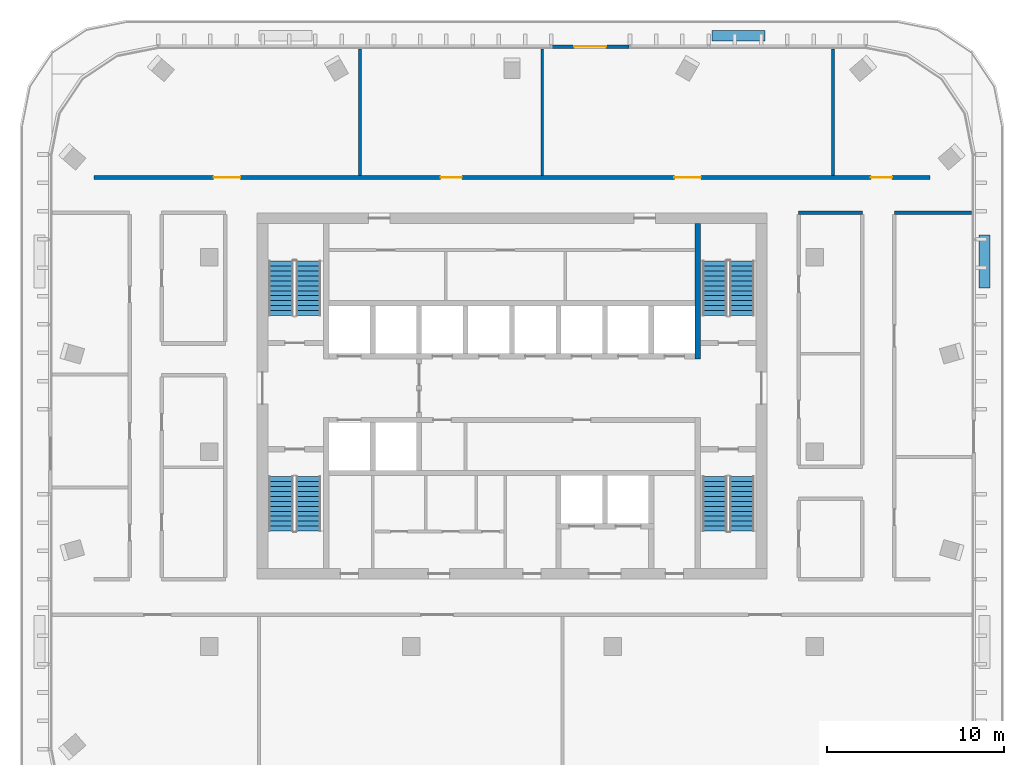
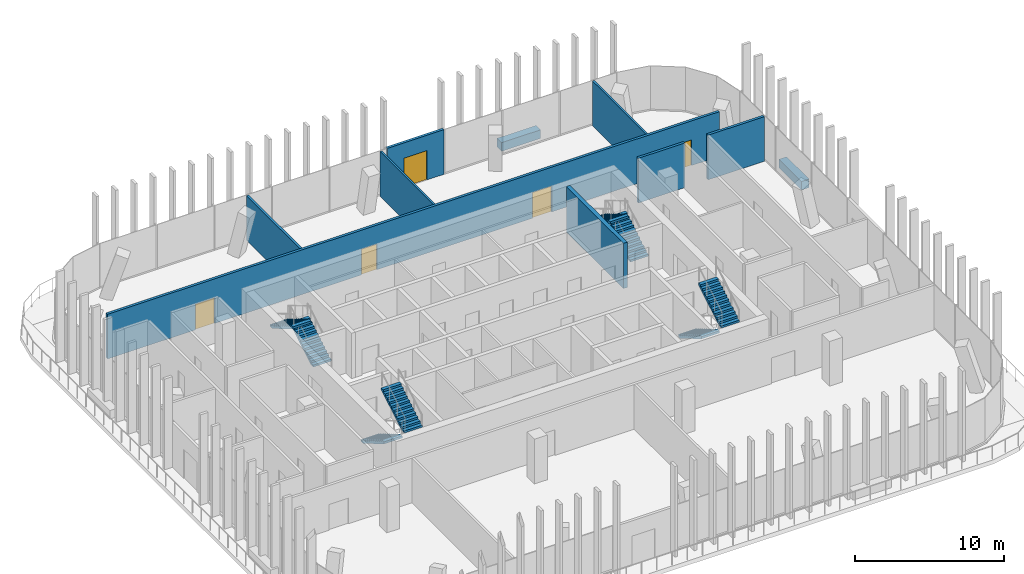
# One storey, part 10 of 15: 10 walls, 8 stair flights, 5 doors, 5 openings, 4 elements without a shape of their own.
"""IFC4 building model written with IfcOpenShell, lengths in metres."""

from ifc_helpers import new_model, si_unit, direction, frame, frame_2d, origin, place, context, subcontext, project, spatial, polyline, rectangle, outline, extrude, material, layer, layer_set, type_object, element, fill, aggregate, save


model = new_model("IFC4")

# Units and contexts
model_context = context("Model", 3, precision=1e-05, world=origin(), true_north=direction((0.0, 1.0)))
body_context = subcontext(model_context, "Body", "Model", "MODEL_VIEW")
ifc_project = project(units=[si_unit("LENGTHUNIT", "METRE"), si_unit("AREAUNIT", "SQUARE_METRE"), si_unit("VOLUMEUNIT", "CUBIC_METRE"), si_unit("PLANEANGLEUNIT", "RADIAN"), si_unit("MASSUNIT", "GRAM", prefix="KILO")], contexts=[model_context])

# Site, building, storey
site_placement = place(None, origin())
site = spatial("IfcSite", under=ifc_project, at=site_placement, CompositionType="ELEMENT")
building_placement = place(site_placement, origin())
building = spatial("IfcBuilding", under=site, at=building_placement, Name="Mopane Tessera Tower", CompositionType="ELEMENT")
storey_placement = place(building_placement, frame((0.0, 0.0, 329.39990234375)))
storey = spatial("IfcBuildingStorey", under=building, at=storey_placement, Name="L72", CompositionType="ELEMENT", Elevation=329.39990234375)

# Walls
ifc_material_1 = material(Name="Concrete C60/75", Category="concrete")
ifc_layer_1 = layer(ifc_material_1, 0.300048828125)
ifc_layer_set_1 = layer_set([ifc_layer_1], Name="Concrete C60/75")
wall_type_1 = type_object("IfcWallType", Name="Core spine wall 300 mm", PredefinedType="SHEAR", material=ifc_layer_set_1)
wall_1_placement = place(storey_placement, frame((10.5, 5.25, 0.0), z_axis=(0.0, 0.0, 1.0), x_axis=(0.0, 1.0, 0.0)))
element("IfcWall", 1, at=wall_1_placement, inside=storey, type_object=wall_type_1, Name="L72 Core spine wall", PredefinedType="SHEAR", context=body_context, shape_type="SweptSolid", body=[
    extrude(rectangle(XDim=7.64990234375, YDim=0.300048828125, at=frame_2d((3.824951171875, 0.0))), origin(), (0.0, 0.0, 1.0), 3.7001953125),
])
ifc_material_2 = material(Name="Gypsum board on staggered steel studs, double layer each face, acoustic mineral wool infill", Category="steel")
ifc_layer_2 = layer(ifc_material_2, 0.175048828125)
ifc_layer_set_2 = layer_set([ifc_layer_2], Name="Gypsum board on staggered steel studs, double layer each face, acoustic mineral wool infill")
wall_type_2 = type_object("IfcWallType", Name="Gypsum board acoustic partition 175, rated EI 60", PredefinedType="PARTITIONING", material=ifc_layer_set_2)
wall_2_placement = place(storey_placement, frame((-8.5849609375, 15.60009765625, 0.0), z_axis=(0.0, 0.0, 1.0), x_axis=(0.0, 1.0, 0.0)))
element("IfcWall", 2, at=wall_2_placement, inside=storey, type_object=wall_type_2, Name="Partition L72:025", PredefinedType="PARTITIONING", context=body_context, shape_type="SweptSolid", body=[
    extrude(rectangle(XDim=7.14990234375, YDim=0.175048828125, at=frame_2d((3.574951171875, 0.0))), origin(), (0.0, 0.0, 1.0), 3.650146484375),
])
ifc_material_3 = material(Name="Gypsum board on steel studs, two layers each face, mineral wool infill", Category="steel")
ifc_layer_3 = layer(ifc_material_3, 0.199951171875)
ifc_layer_set_3 = layer_set([ifc_layer_3], Name="Gypsum board on steel studs, two layers each face, mineral wool infill")
wall_type_3 = type_object("IfcWallType", Name="Gypsum board corridor wall 200, rated EI 60", PredefinedType="PARTITIONING", material=ifc_layer_set_3)
wall_3_placement = place(storey_placement, frame((16.199951171875, 13.5, 0.0), z_axis=(0.0, 0.0, 1.0), x_axis=(1.0, 0.0, 0.0)))
element("IfcWall", 3, at=wall_3_placement, inside=storey, type_object=wall_type_3, Name="Partition L72:016", PredefinedType="PARTITIONING", context=body_context, shape_type="SweptSolid", body=[
    extrude(rectangle(XDim=3.60009765625, YDim=0.199951171875, at=frame_2d((1.800048828125, 0.0))), origin(), (0.0, 0.0, 1.0), 3.650146484375),
])
wall_4_placement = place(storey_placement, frame((21.60009765625, 13.5, 0.0), z_axis=(0.0, 0.0, 1.0), x_axis=(1.0, 0.0, 0.0)))
element("IfcWall", 4, at=wall_4_placement, inside=storey, type_object=wall_type_3, Name="Partition L72:017", PredefinedType="PARTITIONING", context=body_context, shape_type="SweptSolid", body=[
    extrude(rectangle(XDim=4.349853515625, YDim=0.199951171875, at=frame_2d((2.1748046875, 0.0))), origin(), (0.0, 0.0, 1.0), 3.650146484375),
])

# Wall, openings, doors
wall_5_placement = place(storey_placement, frame((-23.625, 15.5, 0.0), z_axis=(0.0, 0.0, 1.0), x_axis=(1.0, 0.0, 0.0)))
wall_5 = element("IfcWall", 5, at=wall_5_placement, inside=storey, type_object=wall_type_3, Name="Partition L72:018", PredefinedType="PARTITIONING", context=body_context, shape_type="SweptSolid", body=[
    extrude(rectangle(XDim=47.25, YDim=0.199951171875, at=frame_2d((23.625, 0.0))), origin(), (0.0, 0.0, 1.0), 3.650146484375),
])
opening_1_placement = place(wall_5_placement, frame((43.905029296875, 0.0, 0.0)))
opening_1 = element("IfcOpeningElement", 6, at=opening_1_placement, cuts=wall_5, Name="Opening L72-02", PredefinedType="OPENING", context=body_context, shape_type="SweptSolid", body=[
    extrude(rectangle(XDim=1.199951171875, YDim=2.10009765625, at=frame_2d((0.60009765625, 1.050048828125))), frame((0.0, 0.112060546875, 0.0), z_axis=(0.0, -1.0, 0.0), x_axis=(1.0, 0.0, 0.0)), (0.0, 0.0, 1.0), 0.223876953125),
])
opening_2_placement = place(wall_5_placement, frame((32.800048828125, 0.0, 0.0)))
opening_2 = element("IfcOpeningElement", 7, at=opening_2_placement, cuts=wall_5, Name="Opening L72-11", PredefinedType="OPENING", context=body_context, shape_type="SweptSolid", body=[
    extrude(rectangle(XDim=1.5, YDim=2.10009765625, at=frame_2d((0.75, 1.050048828125))), frame((0.0, 0.112060546875, 0.0), z_axis=(0.0, -1.0, 0.0), x_axis=(1.0, 0.0, 0.0)), (0.0, 0.0, 1.0), 0.223876953125),
])
opening_3_placement = place(wall_5_placement, frame((19.590087890625, 0.0, 0.0)))
opening_3 = element("IfcOpeningElement", 8, at=opening_3_placement, cuts=wall_5, Name="Opening L72-15", PredefinedType="OPENING", context=body_context, shape_type="SweptSolid", body=[
    extrude(rectangle(XDim=1.199951171875, YDim=2.10009765625, at=frame_2d((0.60009765625, 1.050048828125))), frame((0.0, 0.112060546875, 0.0), z_axis=(0.0, -1.0, 0.0), x_axis=(1.0, 0.0, 0.0)), (0.0, 0.0, 1.0), 0.223876953125),
])
opening_4_placement = place(wall_5_placement, frame((6.77001953125, 0.0, 0.0)))
opening_4 = element("IfcOpeningElement", 9, at=opening_4_placement, cuts=wall_5, Name="Opening L72-17", PredefinedType="OPENING", context=body_context, shape_type="SweptSolid", body=[
    extrude(rectangle(XDim=1.5, YDim=2.10009765625, at=frame_2d((0.75, 1.050048828125))), frame((0.0, 0.112060546875, 0.0), z_axis=(0.0, -1.0, 0.0), x_axis=(1.0, 0.0, 0.0)), (0.0, 0.0, 1.0), 0.223876953125),
])
ifc_material_4 = material(Name="Timber veneered steel-framed fire door", Category="steel")
door_type_1 = type_object("IfcDoorType", Name="Fire door FD60 1200 x 2100", OperationType="SINGLE_SWING_LEFT", PredefinedType="DOOR", material=ifc_material_4)
door_1_placement = place(opening_1_placement, origin())
door_1 = element("IfcDoor", 10, at=door_1_placement, inside=storey, type_object=door_type_1, Name="Door L72-02", ObjectType="D15A", OperationType="SINGLE_SWING_LEFT", OverallHeight=2.10009765625, OverallWidth=1.199951171875, PredefinedType="DOOR", context=body_context, shape_type="SweptSolid", body=[
    extrude(rectangle(XDim=1.199951171875, YDim=2.10009765625, at=frame_2d((0.60009765625, 1.050048828125))), frame((0.0, 0.02490234375, 0.0), z_axis=(0.0, -1.0, 0.0), x_axis=(1.0, 0.0, 0.0)), (0.0, 0.0, 1.0), 0.050048828125),
])
fill(opening_1, door_1)
door_2_placement = place(opening_3_placement, origin())
door_2 = element("IfcDoor", 11, at=door_2_placement, inside=storey, type_object=door_type_1, Name="Door L72-15", ObjectType="D15A", OperationType="SINGLE_SWING_RIGHT", OverallHeight=2.10009765625, OverallWidth=1.199951171875, PredefinedType="DOOR", context=body_context, shape_type="SweptSolid", body=[
    extrude(rectangle(XDim=1.199951171875, YDim=2.10009765625, at=frame_2d((0.60009765625, 1.050048828125))), frame((0.0, 0.02490234375, 0.0), z_axis=(0.0, -1.0, 0.0), x_axis=(1.0, 0.0, 0.0)), (0.0, 0.0, 1.0), 0.050048828125),
])
fill(opening_3, door_2)
ifc_material_5 = material(Name="Timber veneered steel-framed fire door", Category="steel")
door_type_2 = type_object("IfcDoorType", Name="Fire door pair FD60 1500 x 2100", OperationType="DOUBLE_DOOR_SINGLE_SWING", PredefinedType="DOOR", material=ifc_material_5)
door_3_placement = place(opening_2_placement, origin())
door_3 = element("IfcDoor", 12, at=door_3_placement, inside=storey, type_object=door_type_2, Name="Door L72-11", ObjectType="D17A", OperationType="DOUBLE_DOOR_SINGLE_SWING", OverallHeight=2.10009765625, OverallWidth=1.5, PredefinedType="DOOR", context=body_context, shape_type="SweptSolid", body=[
    extrude(rectangle(XDim=1.5, YDim=2.10009765625, at=frame_2d((0.75, 1.050048828125))), frame((0.0, 0.02490234375, 0.0), z_axis=(0.0, -1.0, 0.0), x_axis=(1.0, 0.0, 0.0)), (0.0, 0.0, 1.0), 0.050048828125),
])
fill(opening_2, door_3)
door_4_placement = place(opening_4_placement, origin())
door_4 = element("IfcDoor", 13, at=door_4_placement, inside=storey, type_object=door_type_2, Name="Door L72-17", ObjectType="D17A", OperationType="DOUBLE_DOOR_SINGLE_SWING", OverallHeight=2.10009765625, OverallWidth=1.5, PredefinedType="DOOR", context=body_context, shape_type="SweptSolid", body=[
    extrude(rectangle(XDim=1.5, YDim=2.10009765625, at=frame_2d((0.75, 1.050048828125))), frame((0.0, 0.02490234375, 0.0), z_axis=(0.0, -1.0, 0.0), x_axis=(1.0, 0.0, 0.0)), (0.0, 0.0, 1.0), 0.050048828125),
])
fill(opening_4, door_4)

# Walls
ifc_material_6 = material(Name="Gypsum board on steel studs, mineral wool infill", Category="steel")
ifc_layer_4 = layer(ifc_material_6, 0.14990234375)
ifc_layer_set_4 = layer_set([ifc_layer_4], Name="Gypsum board on steel studs, mineral wool infill")
wall_type_4 = type_object("IfcWallType", Name="Gypsum board partition 150, rated EI 60", PredefinedType="PARTITIONING", material=ifc_layer_set_4)
for number, where, z_axis, x_axis, name in (
    (14, (1.715087890625, 15.60009765625, 0.0), (0.0, 0.0, 1.0), (0.0, 1.0, 0.0), "Partition L72:026"),
    (15, (18.135009765625, 15.60009765625, 0.0), (0.0, 0.0, 1.0), (0.0, 1.0, 0.0), "Partition L72:030"),
):
    element("IfcWall", number, at=place(storey_placement, frame(where, z_axis=z_axis, x_axis=x_axis)), inside=storey, type_object=wall_type_4, Name=name, PredefinedType="PARTITIONING", context=body_context, shape_type="SweptSolid", body=[
        extrude(rectangle(XDim=7.14990234375, YDim=0.14990234375, at=frame_2d((3.574951171875, 0.0))), origin(), (0.0, 0.0, 1.0), 3.650146484375),
    ])
ifc_material_7 = material(Name="Reinforced concrete C32/40 with waterproofing", Category="concrete")
ifc_layer_5 = layer(ifc_material_7, 0.60009765625)
ifc_layer_set_5 = layer_set([ifc_layer_5], Name="Reinforced concrete C32/40 with waterproofing")
wall_type_5 = type_object("IfcWallType", Name="Planter trough 3000 x 600", PredefinedType="STANDARD", material=ifc_layer_set_5)
for number, where, z_axis, x_axis, name in (
    (16, (26.699951171875, 9.251953125, 0.0), (0.0, 0.0, 1.0), (0.0, 1.0, 0.0), "e:sp:L72:E1"),
    (17, (14.300048828125, 23.5, 0.0), (0.0, 0.0, 1.0), (-1.0, 0.0, 0.0), "e:sp:L72:N0"),
):
    element("IfcWall", number, at=place(storey_placement, frame(where, z_axis=z_axis, x_axis=x_axis)), inside=storey, type_object=wall_type_5, Name=name, PredefinedType="STANDARD", context=body_context, shape_type="SweptSolid", body=[
        extrude(rectangle(XDim=3.0, YDim=0.60009765625, at=frame_2d((1.5, 0.0))), origin(), (0.0, 0.0, 1.0), 0.7001953125),
    ])

# Wall, opening, door
ifc_material_8 = material(Name="Blockwork with glazed tile facing", Category="masonry")
ifc_layer_6 = layer(ifc_material_8, 0.199951171875)
ifc_layer_set_6 = layer_set([ifc_layer_6], Name="Blockwork with glazed tile facing")
wall_type_6 = type_object("IfcWallType", Name="Tile-clad portal wall 200", PredefinedType="STANDARD", material=ifc_layer_set_6)
wall_6_placement = place(storey_placement, frame((6.61669921875, 22.89990234375, 0.0), z_axis=(0.0, 0.0, 1.0), x_axis=(-1.0, 0.0, 0.0)))
wall_6 = element("IfcWall", 18, at=wall_6_placement, inside=storey, type_object=wall_type_6, Name="e:pw:L72:N", PredefinedType="STANDARD", context=body_context, shape_type="SweptSolid", body=[
    extrude(rectangle(XDim=4.344482421875, YDim=0.199951171875, at=frame_2d((2.17236328125, 0.0))), origin(), (0.0, 0.0, 1.0), 3.650146484375),
])
opening_5_placement = place(wall_6_placement, frame((1.300048828125, 0.0, 0.0)))
opening_5 = element("IfcOpeningElement", 19, at=opening_5_placement, cuts=wall_6, Name="Opening TD72N", PredefinedType="OPENING", context=body_context, shape_type="SweptSolid", body=[
    extrude(rectangle(XDim=1.800048828125, YDim=2.39990234375, at=frame_2d((0.89990234375, 1.199951171875))), frame((0.0, 0.112060546875, 0.0), z_axis=(0.0, -1.0, 0.0), x_axis=(1.0, 0.0, 0.0)), (0.0, 0.0, 1.0), 0.223876953125),
])
ifc_material_9 = material(Name="Aluminium and clear glass", Category="aluminium")
door_type_3 = type_object("IfcDoorType", Name="Terrace double door 1800 x 2400", OperationType="DOUBLE_DOOR_SINGLE_SWING", PredefinedType="DOOR", material=ifc_material_9)
door_5_placement = place(opening_5_placement, origin())
door_5 = element("IfcDoor", 20, at=door_5_placement, inside=storey, type_object=door_type_3, Name="e:pw:L72:N:door", ObjectType="D1", OperationType="DOUBLE_DOOR_SINGLE_SWING", OverallHeight=2.39990234375, OverallWidth=1.800048828125, PredefinedType="DOOR", context=body_context, shape_type="SweptSolid", body=[
    extrude(rectangle(XDim=1.800048828125, YDim=2.39990234375, at=frame_2d((0.89990234375, 1.199951171875))), frame((0.0, 0.02490234375, 0.0), z_axis=(0.0, -1.0, 0.0), x_axis=(1.0, 0.0, 0.0)), (0.0, 0.0, 1.0), 0.050048828125),
])
fill(opening_5, door_5)

# Stair, stair flights
ifc_material_10 = material(Name="Concrete C50/60", Category="concrete")
stair_type = type_object("IfcStairType", Name="Escape stair 1400 mm, riser 167 mm", PredefinedType="HALF_TURN_STAIR", material=ifc_material_10)
stair_1_placement = place(storey_placement, origin())
stair_1 = element("IfcStair", 21, at=stair_1_placement, inside=storey, type_object=stair_type, Name="L72 Escape stair south-west", PredefinedType="HALF_TURN_STAIR")
ifc_material_11 = material(Name="Concrete C50/60", Category="concrete")
stair_flight_type = type_object("IfcStairFlightType", Name="Escape stair flight 1400 mm", PredefinedType="STRAIGHT", material=ifc_material_11)
stair_flight_1_placement = place(storey_placement, frame((-13.050048828125, -1.39990234375, 0.0), z_axis=(0.0, 0.0, 1.0), x_axis=(0.0, -1.0, 0.0)))
stair_flight_1 = element("IfcStairFlight", 22, at=stair_flight_1_placement, type_object=stair_flight_type, Name="ST1 flight 1", NumberOfRisers=12, NumberOfTreads=11, PredefinedType="STRAIGHT", RiserHeight=0.166666667, TreadLength=0.28, context=body_context, shape_type="SweptSolid", body=[
    extrude(outline(polyline([(0.0, 0.0), (0.0, 0.166748046875), (0.280029296875, 0.166748046875), (0.280029296875, 0.333251953125), (0.56005859375, 0.333251953125), (0.56005859375, 0.5), (0.840087890625, 0.5), (0.840087890625, 0.666748046875), (1.1201171875, 0.666748046875), (1.1201171875, 0.833251953125), (1.39990234375, 0.833251953125), (1.39990234375, 1.0), (1.679931640625, 1.0), (1.679931640625, 1.166748046875), (1.9599609375, 1.166748046875), (1.9599609375, 1.333251953125), (2.239990234375, 1.333251953125), (2.239990234375, 1.5), (2.52001953125, 1.5), (2.52001953125, 1.666748046875), (2.800048828125, 1.666748046875), (2.800048828125, 1.833251953125), (3.080078125, 1.833251953125), (3.080078125, 2.0), (3.080078125, 1.658935546875), (0.29296875, 0.0), (0.0, 0.0)])), frame((0.0, 0.699951171875, 0.0), z_axis=(0.0, -1.0, 0.0), x_axis=(1.0, 0.0, 0.0)), (0.0, 0.0, 1.0), 1.39990234375),
])
stair_flight_2_placement = place(storey_placement, frame((-11.5, -4.47998046875, 2.0), z_axis=(0.0, 0.0, 1.0), x_axis=(0.0, 1.0, 0.0)))
stair_flight_2 = element("IfcStairFlight", 23, at=stair_flight_2_placement, type_object=stair_flight_type, Name="ST1 flight 2", NumberOfRisers=12, NumberOfTreads=11, PredefinedType="STRAIGHT", RiserHeight=0.166666667, TreadLength=0.28, context=body_context, shape_type="SweptSolid", body=[
    extrude(outline(polyline([(0.0, 0.0), (0.0, 0.166748046875), (0.280029296875, 0.166748046875), (0.280029296875, 0.333251953125), (0.56005859375, 0.333251953125), (0.56005859375, 0.5), (0.840087890625, 0.5), (0.840087890625, 0.666748046875), (1.1201171875, 0.666748046875), (1.1201171875, 0.833251953125), (1.39990234375, 0.833251953125), (1.39990234375, 1.0), (1.679931640625, 1.0), (1.679931640625, 1.166748046875), (1.9599609375, 1.166748046875), (1.9599609375, 1.333251953125), (2.239990234375, 1.333251953125), (2.239990234375, 1.5), (2.52001953125, 1.5), (2.52001953125, 1.666748046875), (2.800048828125, 1.666748046875), (2.800048828125, 1.833251953125), (3.080078125, 1.833251953125), (3.080078125, 2.0), (3.080078125, 1.658935546875), (0.29296875, 0.0), (0.0, 0.0)])), frame((0.0, 0.699951171875, 0.0), z_axis=(0.0, -1.0, 0.0), x_axis=(1.0, 0.0, 0.0)), (0.0, 0.0, 1.0), 1.39990234375),
])
aggregate(stair_1, [stair_flight_1, stair_flight_2])

stair_2_placement = place(storey_placement, origin())
stair_2 = element("IfcStair", 24, at=stair_2_placement, inside=storey, type_object=stair_type, Name="L72 Escape stair north-west", PredefinedType="HALF_TURN_STAIR")
stair_flight_3_placement = place(storey_placement, frame((-11.5, 7.699951171875, 0.0), z_axis=(0.0, 0.0, 1.0), x_axis=(0.0, 1.0, 0.0)))
stair_flight_3 = element("IfcStairFlight", 25, at=stair_flight_3_placement, type_object=stair_flight_type, Name="ST2 flight 1", NumberOfRisers=12, NumberOfTreads=11, PredefinedType="STRAIGHT", RiserHeight=0.166666667, TreadLength=0.28, context=body_context, shape_type="SweptSolid", body=[
    extrude(outline(polyline([(0.0, 0.0), (0.0, 0.166748046875), (0.280029296875, 0.166748046875), (0.280029296875, 0.333251953125), (0.56005859375, 0.333251953125), (0.56005859375, 0.5), (0.840087890625, 0.5), (0.840087890625, 0.666748046875), (1.1201171875, 0.666748046875), (1.1201171875, 0.833251953125), (1.39990234375, 0.833251953125), (1.39990234375, 1.0), (1.679931640625, 1.0), (1.679931640625, 1.166748046875), (1.9599609375, 1.166748046875), (1.9599609375, 1.333251953125), (2.239990234375, 1.333251953125), (2.239990234375, 1.5), (2.52001953125, 1.5), (2.52001953125, 1.666748046875), (2.800048828125, 1.666748046875), (2.800048828125, 1.833251953125), (3.080078125, 1.833251953125), (3.080078125, 2.0), (3.080078125, 1.658935546875), (0.29296875, 0.0), (0.0, 0.0)])), frame((0.0, 0.699951171875, 0.0), z_axis=(0.0, -1.0, 0.0), x_axis=(1.0, 0.0, 0.0)), (0.0, 0.0, 1.0), 1.39990234375),
])
stair_flight_4_placement = place(storey_placement, frame((-13.050048828125, 10.780029296875, 2.0), z_axis=(0.0, 0.0, 1.0), x_axis=(0.0, -1.0, 0.0)))
stair_flight_4 = element("IfcStairFlight", 26, at=stair_flight_4_placement, type_object=stair_flight_type, Name="ST2 flight 2", NumberOfRisers=12, NumberOfTreads=11, PredefinedType="STRAIGHT", RiserHeight=0.166666667, TreadLength=0.28, context=body_context, shape_type="SweptSolid", body=[
    extrude(outline(polyline([(0.0, 0.0), (0.0, 0.166748046875), (0.280029296875, 0.166748046875), (0.280029296875, 0.333251953125), (0.56005859375, 0.333251953125), (0.56005859375, 0.5), (0.840087890625, 0.5), (0.840087890625, 0.666748046875), (1.1201171875, 0.666748046875), (1.1201171875, 0.833251953125), (1.39990234375, 0.833251953125), (1.39990234375, 1.0), (1.679931640625, 1.0), (1.679931640625, 1.166748046875), (1.9599609375, 1.166748046875), (1.9599609375, 1.333251953125), (2.239990234375, 1.333251953125), (2.239990234375, 1.5), (2.52001953125, 1.5), (2.52001953125, 1.666748046875), (2.800048828125, 1.666748046875), (2.800048828125, 1.833251953125), (3.080078125, 1.833251953125), (3.080078125, 2.0), (3.080078125, 1.658935546875), (0.29296875, 0.0), (0.0, 0.0)])), frame((0.0, 0.699951171875, 0.0), z_axis=(0.0, -1.0, 0.0), x_axis=(1.0, 0.0, 0.0)), (0.0, 0.0, 1.0), 1.39990234375),
])
aggregate(stair_2, [stair_flight_3, stair_flight_4])

stair_3_placement = place(storey_placement, origin())
stair_3 = element("IfcStair", 27, at=stair_3_placement, inside=storey, type_object=stair_type, Name="L72 Escape stair south-east", PredefinedType="HALF_TURN_STAIR")
stair_flight_5_placement = place(storey_placement, frame((11.449951171875, -1.39990234375, 0.0), z_axis=(0.0, 0.0, 1.0), x_axis=(0.0, -1.0, 0.0)))
stair_flight_5 = element("IfcStairFlight", 28, at=stair_flight_5_placement, type_object=stair_flight_type, Name="ST3 flight 1", NumberOfRisers=12, NumberOfTreads=11, PredefinedType="STRAIGHT", RiserHeight=0.166666667, TreadLength=0.28, context=body_context, shape_type="SweptSolid", body=[
    extrude(outline(polyline([(0.0, 0.0), (0.0, 0.166748046875), (0.280029296875, 0.166748046875), (0.280029296875, 0.333251953125), (0.56005859375, 0.333251953125), (0.56005859375, 0.5), (0.840087890625, 0.5), (0.840087890625, 0.666748046875), (1.1201171875, 0.666748046875), (1.1201171875, 0.833251953125), (1.39990234375, 0.833251953125), (1.39990234375, 1.0), (1.679931640625, 1.0), (1.679931640625, 1.166748046875), (1.9599609375, 1.166748046875), (1.9599609375, 1.333251953125), (2.239990234375, 1.333251953125), (2.239990234375, 1.5), (2.52001953125, 1.5), (2.52001953125, 1.666748046875), (2.800048828125, 1.666748046875), (2.800048828125, 1.833251953125), (3.080078125, 1.833251953125), (3.080078125, 2.0), (3.080078125, 1.658935546875), (0.29296875, 0.0), (0.0, 0.0)])), frame((0.0, 0.699951171875, 0.0), z_axis=(0.0, -1.0, 0.0), x_axis=(1.0, 0.0, 0.0)), (0.0, 0.0, 1.0), 1.39990234375),
])
stair_flight_6_placement = place(storey_placement, frame((13.0, -4.47998046875, 2.0), z_axis=(0.0, 0.0, 1.0), x_axis=(0.0, 1.0, 0.0)))
stair_flight_6 = element("IfcStairFlight", 29, at=stair_flight_6_placement, type_object=stair_flight_type, Name="ST3 flight 2", NumberOfRisers=12, NumberOfTreads=11, PredefinedType="STRAIGHT", RiserHeight=0.166666667, TreadLength=0.28, context=body_context, shape_type="SweptSolid", body=[
    extrude(outline(polyline([(0.0, 0.0), (0.0, 0.166748046875), (0.280029296875, 0.166748046875), (0.280029296875, 0.333251953125), (0.56005859375, 0.333251953125), (0.56005859375, 0.5), (0.840087890625, 0.5), (0.840087890625, 0.666748046875), (1.1201171875, 0.666748046875), (1.1201171875, 0.833251953125), (1.39990234375, 0.833251953125), (1.39990234375, 1.0), (1.679931640625, 1.0), (1.679931640625, 1.166748046875), (1.9599609375, 1.166748046875), (1.9599609375, 1.333251953125), (2.239990234375, 1.333251953125), (2.239990234375, 1.5), (2.52001953125, 1.5), (2.52001953125, 1.666748046875), (2.800048828125, 1.666748046875), (2.800048828125, 1.833251953125), (3.080078125, 1.833251953125), (3.080078125, 2.0), (3.080078125, 1.658935546875), (0.29296875, 0.0), (0.0, 0.0)])), frame((0.0, 0.699951171875, 0.0), z_axis=(0.0, -1.0, 0.0), x_axis=(1.0, 0.0, 0.0)), (0.0, 0.0, 1.0), 1.39990234375),
])
aggregate(stair_3, [stair_flight_5, stair_flight_6])

stair_4_placement = place(storey_placement, origin())
stair_4 = element("IfcStair", 30, at=stair_4_placement, inside=storey, type_object=stair_type, Name="L72 Escape stair north-east", PredefinedType="HALF_TURN_STAIR")
stair_flight_7_placement = place(storey_placement, frame((13.0, 7.699951171875, 0.0), z_axis=(0.0, 0.0, 1.0), x_axis=(0.0, 1.0, 0.0)))
stair_flight_7 = element("IfcStairFlight", 31, at=stair_flight_7_placement, type_object=stair_flight_type, Name="ST4 flight 1", NumberOfRisers=12, NumberOfTreads=11, PredefinedType="STRAIGHT", RiserHeight=0.166666667, TreadLength=0.28, context=body_context, shape_type="SweptSolid", body=[
    extrude(outline(polyline([(0.0, 0.0), (0.0, 0.166748046875), (0.280029296875, 0.166748046875), (0.280029296875, 0.333251953125), (0.56005859375, 0.333251953125), (0.56005859375, 0.5), (0.840087890625, 0.5), (0.840087890625, 0.666748046875), (1.1201171875, 0.666748046875), (1.1201171875, 0.833251953125), (1.39990234375, 0.833251953125), (1.39990234375, 1.0), (1.679931640625, 1.0), (1.679931640625, 1.166748046875), (1.9599609375, 1.166748046875), (1.9599609375, 1.333251953125), (2.239990234375, 1.333251953125), (2.239990234375, 1.5), (2.52001953125, 1.5), (2.52001953125, 1.666748046875), (2.800048828125, 1.666748046875), (2.800048828125, 1.833251953125), (3.080078125, 1.833251953125), (3.080078125, 2.0), (3.080078125, 1.658935546875), (0.29296875, 0.0), (0.0, 0.0)])), frame((0.0, 0.699951171875, 0.0), z_axis=(0.0, -1.0, 0.0), x_axis=(1.0, 0.0, 0.0)), (0.0, 0.0, 1.0), 1.39990234375),
])
stair_flight_8_placement = place(storey_placement, frame((11.449951171875, 10.780029296875, 2.0), z_axis=(0.0, 0.0, 1.0), x_axis=(0.0, -1.0, 0.0)))
stair_flight_8 = element("IfcStairFlight", 32, at=stair_flight_8_placement, type_object=stair_flight_type, Name="ST4 flight 2", NumberOfRisers=12, NumberOfTreads=11, PredefinedType="STRAIGHT", RiserHeight=0.166666667, TreadLength=0.28, context=body_context, shape_type="SweptSolid", body=[
    extrude(outline(polyline([(0.0, 0.0), (0.0, 0.166748046875), (0.280029296875, 0.166748046875), (0.280029296875, 0.333251953125), (0.56005859375, 0.333251953125), (0.56005859375, 0.5), (0.840087890625, 0.5), (0.840087890625, 0.666748046875), (1.1201171875, 0.666748046875), (1.1201171875, 0.833251953125), (1.39990234375, 0.833251953125), (1.39990234375, 1.0), (1.679931640625, 1.0), (1.679931640625, 1.166748046875), (1.9599609375, 1.166748046875), (1.9599609375, 1.333251953125), (2.239990234375, 1.333251953125), (2.239990234375, 1.5), (2.52001953125, 1.5), (2.52001953125, 1.666748046875), (2.800048828125, 1.666748046875), (2.800048828125, 1.833251953125), (3.080078125, 1.833251953125), (3.080078125, 2.0), (3.080078125, 1.658935546875), (0.29296875, 0.0), (0.0, 0.0)])), frame((0.0, 0.699951171875, 0.0), z_axis=(0.0, -1.0, 0.0), x_axis=(1.0, 0.0, 0.0)), (0.0, 0.0, 1.0), 1.39990234375),
])
aggregate(stair_4, [stair_flight_7, stair_flight_8])

save(model, "model.ifc")
